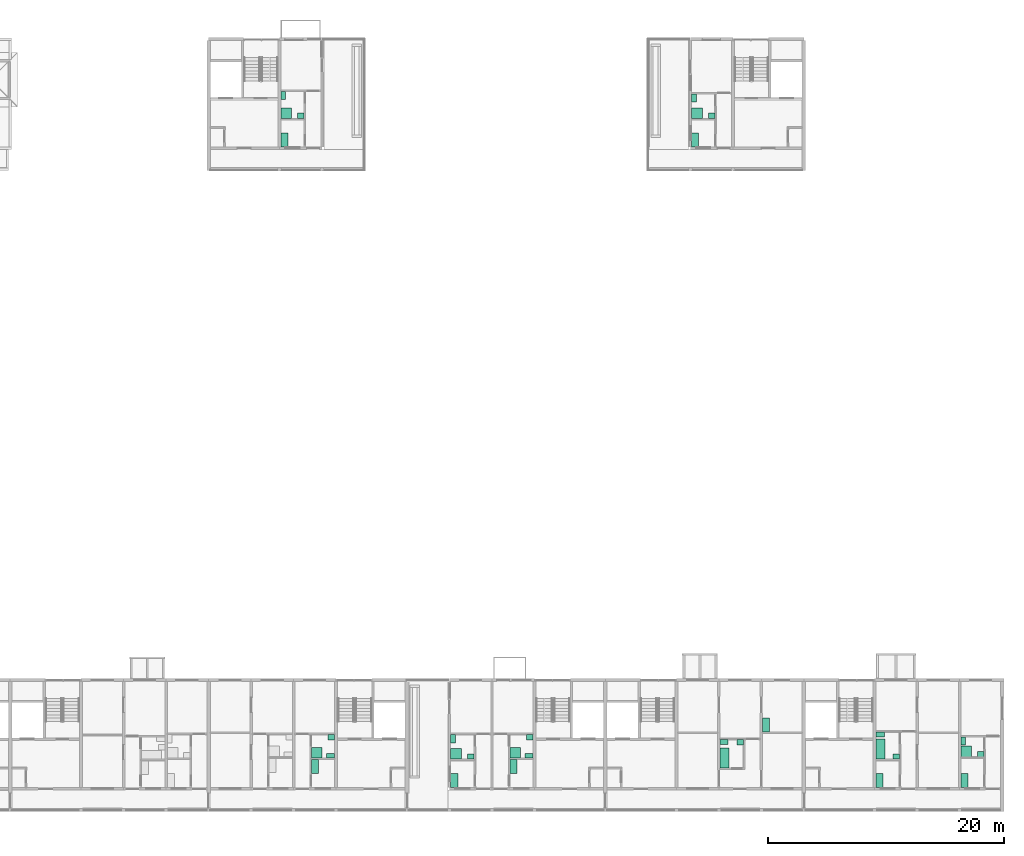
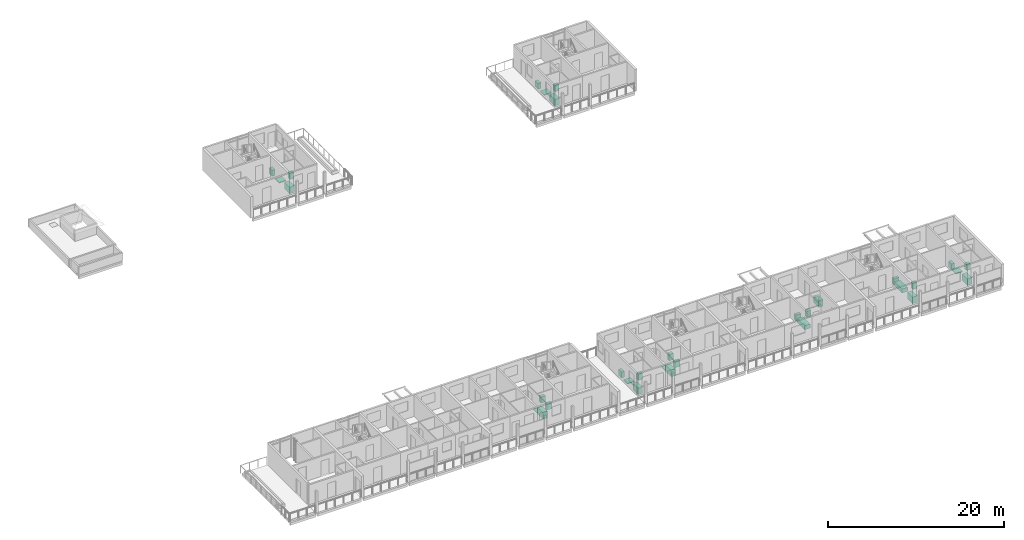
# One storey, part 64 of 64: 32 sanitary terminals.
"""IFC4 building model written with IfcOpenShell, lengths in metres."""

from ifc_helpers import new_model, si_unit, direction, frame, origin, origin_2d, place, context, subcontext, project, spatial, rectangle, extrude, element, save


model = new_model("IFC4")

# Units and contexts
model_context = context("Model", 3, precision=1e-05, world=origin(), true_north=direction((0.0, 1.0)))
body_context = subcontext(model_context, "Body", "Model", "MODEL_VIEW")
ifc_project = project(units=[si_unit("LENGTHUNIT", "METRE"), si_unit("AREAUNIT", "SQUARE_METRE"), si_unit("VOLUMEUNIT", "CUBIC_METRE"), si_unit("PLANEANGLEUNIT", "RADIAN"), si_unit("MASSUNIT", "GRAM", prefix="KILO")], contexts=[model_context])

# Site, building, storey
site_placement = place(None, origin())
site = spatial("IfcSite", under=ifc_project, at=site_placement, CompositionType="ELEMENT")
building_placement = place(site_placement, origin())
building = spatial("IfcBuilding", under=site, at=building_placement, Name="Ridgestep Commons", CompositionType="ELEMENT")
storey_placement = place(building_placement, frame((0.0, 0.0, 33.0)))
storey = spatial("IfcBuildingStorey", under=building, at=storey_placement, Name="L11", CompositionType="ELEMENT", Elevation=33.0)

# Sanitary terminals
sanitary_terminal_1_placement = place(storey_placement, frame((186.97509765625, 70.860107421875, 0.0), z_axis=(0.0, 0.0, 1.0), x_axis=(1.0, 0.0, 0.0)))
element("IfcSanitaryTerminal", 1, at=sanitary_terminal_1_placement, inside=storey, Name="Shower tray C3-11a", PredefinedType="SHOWER", context=body_context, shape_type="SweptSolid", body=[
    extrude(rectangle(XDim=0.89990234375, YDim=0.89990234375, at=origin_2d()), origin(), (0.0, 0.0, 1.0), 0.10009765625),
])
sanitary_terminal_2_placement = place(storey_placement, frame((186.72509765625, 72.35009765625, 0.0), z_axis=(0.0, 0.0, 1.0), x_axis=(1.0, 0.0, 0.0)))
element("IfcSanitaryTerminal", 2, at=sanitary_terminal_2_placement, inside=storey, Name="WC C3-11a", PredefinedType="TOILETPAN", context=body_context, shape_type="SweptSolid", body=[
    extrude(rectangle(XDim=0.39990234375, YDim=0.699951171875, at=origin_2d()), origin(), (0.0, 0.0, 1.0), 0.800048828125),
])
sanitary_terminal_3_placement = place(storey_placement, frame((188.215087890625, 70.635009765625, 0.0), z_axis=(0.0, 0.0, 1.0), x_axis=(1.0, 0.0, 0.0)))
element("IfcSanitaryTerminal", 3, at=sanitary_terminal_3_placement, inside=storey, Name="Basin C3-11a", PredefinedType="WASHHANDBASIN", context=body_context, shape_type="SweptSolid", body=[
    extrude(rectangle(XDim=0.550048828125, YDim=0.449951171875, at=origin_2d()), origin(), (0.0, 0.0, 1.0), 0.85009765625),
])
sanitary_terminal_4_placement = place(storey_placement, frame((186.824951171875, 68.60009765625, 0.0), z_axis=(0.0, 0.0, 1.0), x_axis=(1.0, 0.0, 0.0)))
element("IfcSanitaryTerminal", 4, at=sanitary_terminal_4_placement, inside=storey, Name="Kitchen sink C3-11a", PredefinedType="SINK", context=body_context, shape_type="SweptSolid", body=[
    extrude(rectangle(XDim=0.60009765625, YDim=1.199951171875, at=origin_2d()), origin(), (0.0, 0.0, 1.0), 0.89990234375),
])
sanitary_terminal_5_placement = place(storey_placement, frame((221.75, 70.860107421875, 0.0), z_axis=(0.0, 0.0, 1.0), x_axis=(1.0, 0.0, 0.0)))
element("IfcSanitaryTerminal", 5, at=sanitary_terminal_5_placement, inside=storey, Name="Shower tray C5-11a", PredefinedType="SHOWER", context=body_context, shape_type="SweptSolid", body=[
    extrude(rectangle(XDim=0.89990234375, YDim=0.89990234375, at=origin_2d()), origin(), (0.0, 0.0, 1.0), 0.10009765625),
])
sanitary_terminal_6_placement = place(storey_placement, frame((221.5, 72.14990234375, 0.0), z_axis=(0.0, 0.0, 1.0), x_axis=(1.0, 0.0, 0.0)))
element("IfcSanitaryTerminal", 6, at=sanitary_terminal_6_placement, inside=storey, Name="WC C5-11a", PredefinedType="TOILETPAN", context=body_context, shape_type="SweptSolid", body=[
    extrude(rectangle(XDim=0.39990234375, YDim=0.699951171875, at=origin_2d()), origin(), (0.0, 0.0, 1.0), 0.800048828125),
])
sanitary_terminal_7_placement = place(storey_placement, frame((222.989990234375, 70.635009765625, 0.0), z_axis=(0.0, 0.0, 1.0), x_axis=(1.0, 0.0, 0.0)))
element("IfcSanitaryTerminal", 7, at=sanitary_terminal_7_placement, inside=storey, Name="Basin C5-11a", PredefinedType="WASHHANDBASIN", context=body_context, shape_type="SweptSolid", body=[
    extrude(rectangle(XDim=0.550048828125, YDim=0.449951171875, at=origin_2d()), origin(), (0.0, 0.0, 1.0), 0.85009765625),
])
sanitary_terminal_8_placement = place(storey_placement, frame((221.60009765625, 68.60009765625, 0.0), z_axis=(0.0, 0.0, 1.0), x_axis=(1.0, 0.0, 0.0)))
element("IfcSanitaryTerminal", 8, at=sanitary_terminal_8_placement, inside=storey, Name="Kitchen sink C5-11a", PredefinedType="SINK", context=body_context, shape_type="SweptSolid", body=[
    extrude(rectangle(XDim=0.60009765625, YDim=1.199951171875, at=origin_2d()), origin(), (0.0, 0.0, 1.0), 0.89990234375),
])
sanitary_terminal_9_placement = place(storey_placement, frame((189.56005859375, 16.7099609375, 0.0), z_axis=(0.0, 0.0, 1.0), x_axis=(1.0, 0.0, 0.0)))
element("IfcSanitaryTerminal", 9, at=sanitary_terminal_9_placement, inside=storey, Name="Shower tray D3-11b", PredefinedType="SHOWER", context=body_context, shape_type="SweptSolid", body=[
    extrude(rectangle(XDim=0.89990234375, YDim=0.89990234375, at=origin_2d()), origin(), (0.0, 0.0, 1.0), 0.10009765625),
])
sanitary_terminal_10_placement = place(storey_placement, frame((190.72509765625, 16.4599609375, 0.0), z_axis=(0.0, 0.0, 1.0), x_axis=(1.0, 0.0, 0.0)))
element("IfcSanitaryTerminal", 10, at=sanitary_terminal_10_placement, inside=storey, Name="WC D3-11b", PredefinedType="TOILETPAN", context=body_context, shape_type="SweptSolid", body=[
    extrude(rectangle(XDim=0.699951171875, YDim=0.39990234375, at=origin_2d()), origin(), (0.0, 0.0, 1.0), 0.800048828125),
])
sanitary_terminal_11_placement = place(storey_placement, frame((190.800048828125, 18.02490234375, 0.0), z_axis=(0.0, 0.0, 1.0), x_axis=(1.0, 0.0, 0.0)))
element("IfcSanitaryTerminal", 11, at=sanitary_terminal_11_placement, inside=storey, Name="Basin D3-11b", PredefinedType="WASHHANDBASIN", context=body_context, shape_type="SweptSolid", body=[
    extrude(rectangle(XDim=0.550048828125, YDim=0.449951171875, at=origin_2d()), origin(), (0.0, 0.0, 1.0), 0.85009765625),
])
sanitary_terminal_12_placement = place(storey_placement, frame((189.409912109375, 15.550048828125, 0.0), z_axis=(0.0, 0.0, 1.0), x_axis=(1.0, 0.0, 0.0)))
element("IfcSanitaryTerminal", 12, at=sanitary_terminal_12_placement, inside=storey, Name="Kitchen sink D3-11b", PredefinedType="SINK", context=body_context, shape_type="SweptSolid", body=[
    extrude(rectangle(XDim=0.60009765625, YDim=1.199951171875, at=origin_2d()), origin(), (0.0, 0.0, 1.0), 0.89990234375),
])
sanitary_terminal_13_placement = place(storey_placement, frame((201.35009765625, 16.610107421875, 0.0), z_axis=(0.0, 0.0, 1.0), x_axis=(1.0, 0.0, 0.0)))
element("IfcSanitaryTerminal", 13, at=sanitary_terminal_13_placement, inside=storey, Name="Shower tray D4-11a", PredefinedType="SHOWER", context=body_context, shape_type="SweptSolid", body=[
    extrude(rectangle(XDim=0.89990234375, YDim=0.89990234375, at=origin_2d()), origin(), (0.0, 0.0, 1.0), 0.10009765625),
])
sanitary_terminal_14_placement = place(storey_placement, frame((201.10009765625, 17.89990234375, 0.0), z_axis=(0.0, 0.0, 1.0), x_axis=(1.0, 0.0, 0.0)))
element("IfcSanitaryTerminal", 14, at=sanitary_terminal_14_placement, inside=storey, Name="WC D4-11a", PredefinedType="TOILETPAN", context=body_context, shape_type="SweptSolid", body=[
    extrude(rectangle(XDim=0.39990234375, YDim=0.699951171875, at=origin_2d()), origin(), (0.0, 0.0, 1.0), 0.800048828125),
])
sanitary_terminal_15_placement = place(storey_placement, frame((202.614990234375, 16.385009765625, 0.0), z_axis=(0.0, 0.0, 1.0), x_axis=(1.0, 0.0, 0.0)))
element("IfcSanitaryTerminal", 15, at=sanitary_terminal_15_placement, inside=storey, Name="Basin D4-11a", PredefinedType="WASHHANDBASIN", context=body_context, shape_type="SweptSolid", body=[
    extrude(rectangle(XDim=0.550048828125, YDim=0.449951171875, at=origin_2d()), origin(), (0.0, 0.0, 1.0), 0.85009765625),
])
sanitary_terminal_16_placement = place(storey_placement, frame((201.199951171875, 14.35009765625, 0.0), z_axis=(0.0, 0.0, 1.0), x_axis=(1.0, 0.0, 0.0)))
element("IfcSanitaryTerminal", 16, at=sanitary_terminal_16_placement, inside=storey, Name="Kitchen sink D4-11a", PredefinedType="SINK", context=body_context, shape_type="SweptSolid", body=[
    extrude(rectangle(XDim=0.60009765625, YDim=1.199951171875, at=origin_2d()), origin(), (0.0, 0.0, 1.0), 0.89990234375),
])
sanitary_terminal_17_placement = place(storey_placement, frame((206.360107421875, 16.7099609375, 0.0), z_axis=(0.0, 0.0, 1.0), x_axis=(1.0, 0.0, 0.0)))
element("IfcSanitaryTerminal", 17, at=sanitary_terminal_17_placement, inside=storey, Name="Shower tray D4-11b", PredefinedType="SHOWER", context=body_context, shape_type="SweptSolid", body=[
    extrude(rectangle(XDim=0.89990234375, YDim=0.89990234375, at=origin_2d()), origin(), (0.0, 0.0, 1.0), 0.10009765625),
])
sanitary_terminal_18_placement = place(storey_placement, frame((207.52490234375, 16.4599609375, 0.0), z_axis=(0.0, 0.0, 1.0), x_axis=(1.0, 0.0, 0.0)))
element("IfcSanitaryTerminal", 18, at=sanitary_terminal_18_placement, inside=storey, Name="WC D4-11b", PredefinedType="TOILETPAN", context=body_context, shape_type="SweptSolid", body=[
    extrude(rectangle(XDim=0.699951171875, YDim=0.39990234375, at=origin_2d()), origin(), (0.0, 0.0, 1.0), 0.800048828125),
])
sanitary_terminal_19_placement = place(storey_placement, frame((207.60009765625, 18.02490234375, 0.0), z_axis=(0.0, 0.0, 1.0), x_axis=(1.0, 0.0, 0.0)))
element("IfcSanitaryTerminal", 19, at=sanitary_terminal_19_placement, inside=storey, Name="Basin D4-11b", PredefinedType="WASHHANDBASIN", context=body_context, shape_type="SweptSolid", body=[
    extrude(rectangle(XDim=0.550048828125, YDim=0.449951171875, at=origin_2d()), origin(), (0.0, 0.0, 1.0), 0.85009765625),
])
sanitary_terminal_20_placement = place(storey_placement, frame((206.2099609375, 15.550048828125, 0.0), z_axis=(0.0, 0.0, 1.0), x_axis=(1.0, 0.0, 0.0)))
element("IfcSanitaryTerminal", 20, at=sanitary_terminal_20_placement, inside=storey, Name="Kitchen sink D4-11b", PredefinedType="SINK", context=body_context, shape_type="SweptSolid", body=[
    extrude(rectangle(XDim=0.60009765625, YDim=1.199951171875, at=origin_2d()), origin(), (0.0, 0.0, 1.0), 0.89990234375),
])
sanitary_terminal_21_placement = place(storey_placement, frame((224.074951171875, 16.260009765625, 0.0), z_axis=(0.0, 0.0, 1.0), x_axis=(1.0, 0.0, 0.0)))
element("IfcSanitaryTerminal", 21, at=sanitary_terminal_21_placement, inside=storey, Name="Bath D5-11a", PredefinedType="BATH", context=body_context, shape_type="SweptSolid", body=[
    extrude(rectangle(XDim=0.75, YDim=1.699951171875, at=origin_2d()), origin(), (0.0, 0.0, 1.0), 0.550048828125),
])
sanitary_terminal_22_placement = place(storey_placement, frame((224.050048828125, 17.610107421875, 0.0), z_axis=(0.0, 0.0, 1.0), x_axis=(1.0, 0.0, 0.0)))
element("IfcSanitaryTerminal", 22, at=sanitary_terminal_22_placement, inside=storey, Name="WC D5-11a", PredefinedType="TOILETPAN", context=body_context, shape_type="SweptSolid", body=[
    extrude(rectangle(XDim=0.699951171875, YDim=0.39990234375, at=origin_2d()), origin(), (0.0, 0.0, 1.0), 0.800048828125),
])
sanitary_terminal_23_placement = place(storey_placement, frame((225.4150390625, 17.5849609375, 0.0), z_axis=(0.0, 0.0, 1.0), x_axis=(1.0, 0.0, 0.0)))
element("IfcSanitaryTerminal", 23, at=sanitary_terminal_23_placement, inside=storey, Name="Basin D5-11a", PredefinedType="WASHHANDBASIN", context=body_context, shape_type="SweptSolid", body=[
    extrude(rectangle(XDim=0.550048828125, YDim=0.449951171875, at=origin_2d()), origin(), (0.0, 0.0, 1.0), 0.85009765625),
])
sanitary_terminal_24_placement = place(storey_placement, frame((227.60009765625, 19.06005859375, 0.0), z_axis=(0.0, 0.0, 1.0), x_axis=(1.0, 0.0, 0.0)))
element("IfcSanitaryTerminal", 24, at=sanitary_terminal_24_placement, inside=storey, Name="Kitchen sink D5-11a", PredefinedType="SINK", context=body_context, shape_type="SweptSolid", body=[
    extrude(rectangle(XDim=0.60009765625, YDim=1.199951171875, at=origin_2d()), origin(), (0.0, 0.0, 1.0), 0.89990234375),
])
sanitary_terminal_25_placement = place(storey_placement, frame((244.550048828125, 16.81005859375, 0.0), z_axis=(0.0, 0.0, 1.0), x_axis=(1.0, 0.0, 0.0)))
element("IfcSanitaryTerminal", 25, at=sanitary_terminal_25_placement, inside=storey, Name="Shower tray D6-11a", PredefinedType="SHOWER", context=body_context, shape_type="SweptSolid", body=[
    extrude(rectangle(XDim=0.89990234375, YDim=0.89990234375, at=origin_2d()), origin(), (0.0, 0.0, 1.0), 0.10009765625),
])
sanitary_terminal_26_placement = place(storey_placement, frame((244.300048828125, 17.699951171875, 0.0), z_axis=(0.0, 0.0, 1.0), x_axis=(1.0, 0.0, 0.0)))
element("IfcSanitaryTerminal", 26, at=sanitary_terminal_26_placement, inside=storey, Name="WC D6-11a", PredefinedType="TOILETPAN", context=body_context, shape_type="SweptSolid", body=[
    extrude(rectangle(XDim=0.39990234375, YDim=0.699951171875, at=origin_2d()), origin(), (0.0, 0.0, 1.0), 0.800048828125),
])
sanitary_terminal_27_placement = place(storey_placement, frame((245.764892578125, 16.5849609375, 0.0), z_axis=(0.0, 0.0, 1.0), x_axis=(1.0, 0.0, 0.0)))
element("IfcSanitaryTerminal", 27, at=sanitary_terminal_27_placement, inside=storey, Name="Basin D6-11a", PredefinedType="WASHHANDBASIN", context=body_context, shape_type="SweptSolid", body=[
    extrude(rectangle(XDim=0.550048828125, YDim=0.449951171875, at=origin_2d()), origin(), (0.0, 0.0, 1.0), 0.85009765625),
])
sanitary_terminal_28_placement = place(storey_placement, frame((244.39990234375, 14.35009765625, 0.0), z_axis=(0.0, 0.0, 1.0), x_axis=(1.0, 0.0, 0.0)))
element("IfcSanitaryTerminal", 28, at=sanitary_terminal_28_placement, inside=storey, Name="Kitchen sink D6-11a", PredefinedType="SINK", context=body_context, shape_type="SweptSolid", body=[
    extrude(rectangle(XDim=0.60009765625, YDim=1.199951171875, at=origin_2d()), origin(), (0.0, 0.0, 1.0), 0.89990234375),
])
sanitary_terminal_29_placement = place(storey_placement, frame((237.300048828125, 17.010009765625, 0.0), z_axis=(0.0, 0.0, 1.0), x_axis=(1.0, 0.0, 0.0)))
element("IfcSanitaryTerminal", 29, at=sanitary_terminal_29_placement, inside=storey, Name="Bath D6-11b", PredefinedType="BATH", context=body_context, shape_type="SweptSolid", body=[
    extrude(rectangle(XDim=0.75, YDim=1.699951171875, at=origin_2d()), origin(), (0.0, 0.0, 1.0), 0.550048828125),
])
sanitary_terminal_30_placement = place(storey_placement, frame((237.27490234375, 18.25, 0.0), z_axis=(0.0, 0.0, 1.0), x_axis=(1.0, 0.0, 0.0)))
element("IfcSanitaryTerminal", 30, at=sanitary_terminal_30_placement, inside=storey, Name="WC D6-11b", PredefinedType="TOILETPAN", context=body_context, shape_type="SweptSolid", body=[
    extrude(rectangle(XDim=0.699951171875, YDim=0.39990234375, at=origin_2d()), origin(), (0.0, 0.0, 1.0), 0.800048828125),
])
sanitary_terminal_31_placement = place(storey_placement, frame((238.614990234375, 16.385009765625, 0.0), z_axis=(0.0, 0.0, 1.0), x_axis=(1.0, 0.0, 0.0)))
element("IfcSanitaryTerminal", 31, at=sanitary_terminal_31_placement, inside=storey, Name="Basin D6-11b", PredefinedType="WASHHANDBASIN", context=body_context, shape_type="SweptSolid", body=[
    extrude(rectangle(XDim=0.550048828125, YDim=0.449951171875, at=origin_2d()), origin(), (0.0, 0.0, 1.0), 0.85009765625),
])
sanitary_terminal_32_placement = place(storey_placement, frame((237.22509765625, 14.35009765625, 0.0), z_axis=(0.0, 0.0, 1.0), x_axis=(1.0, 0.0, 0.0)))
element("IfcSanitaryTerminal", 32, at=sanitary_terminal_32_placement, inside=storey, Name="Kitchen sink D6-11b", PredefinedType="SINK", context=body_context, shape_type="SweptSolid", body=[
    extrude(rectangle(XDim=0.60009765625, YDim=1.199951171875, at=origin_2d()), origin(), (0.0, 0.0, 1.0), 0.89990234375),
])

save(model, "model.ifc")
